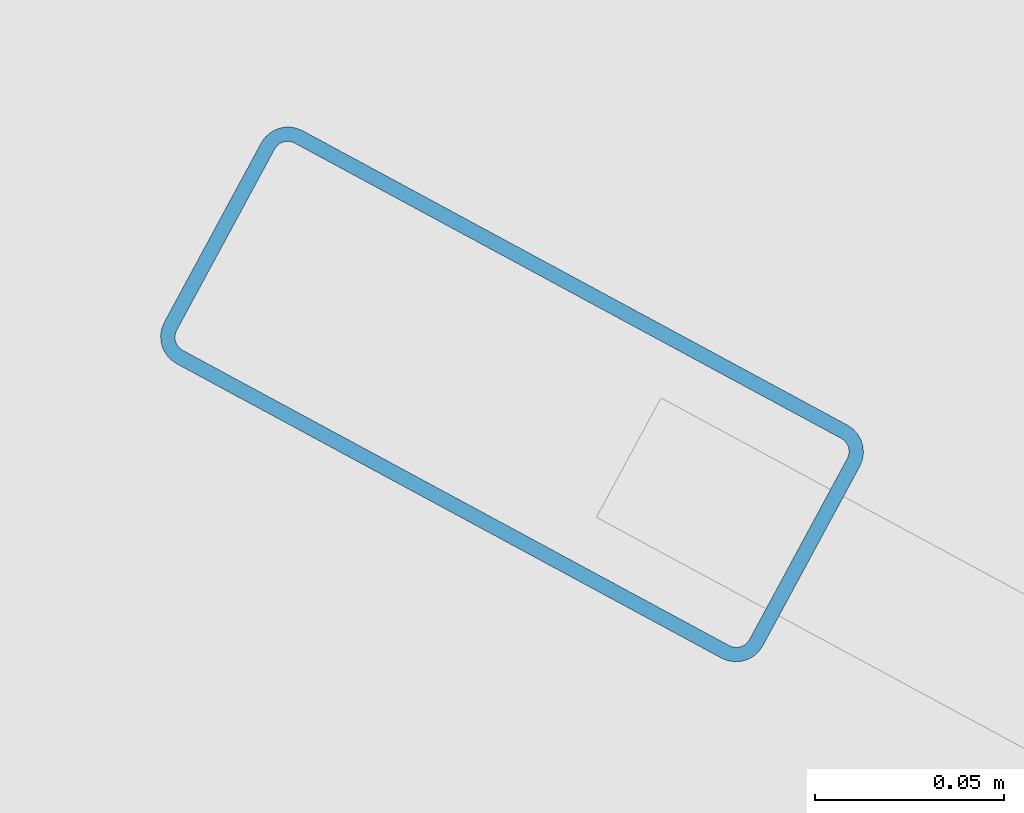
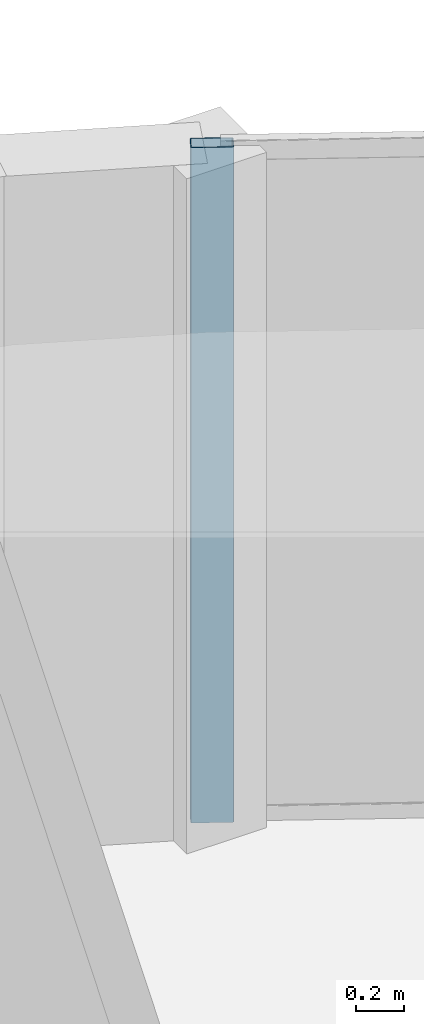
# One storey, part 7 of 13: 1 member, 1 element without a shape of its own.
"""IFC4 building model written with IfcOpenShell, lengths in metres."""

import ifcopenshell
import ifcopenshell.guid

model = None  # the IFC model being written
_history = None  # IfcOwnerHistory: only IFC2X3 demands one
_inside = {}  # id of a spatial element -> (the spatial element, [elements in it])
_under = {}  # id of a project, library or spatial element -> (it, [spatial elements below it])
_declared = {}  # id of a project -> (the project, [libraries it declares])
_typed = {}  # id of a type object -> (the type object, [elements of that type])
_made_of = {}  # id of a material, layer set ... -> (it, [elements and type objects made of it])


def new_model(schema):
    """Start an empty IFC model of exactly this schema.

    Asked for "IFC4X3", IfcOpenShell would pick the latest addendum, in which some entities
    have other attributes; the version numbers below select the first issue.
    IFC2X3 requires an IfcOwnerHistory on every rooted entity: one is made here for all.
    """
    global model, _history
    if schema == "IFC4X3":
        model = ifcopenshell.file(schema_version=(4, 3, 0, 0))
    else:
        model = ifcopenshell.file(schema=schema)
    _inside.clear()
    _under.clear()
    _declared.clear()
    _typed.clear()
    _made_of.clear()
    _history = None
    if model.schema == "IFC2X3":
        org = make("IfcOrganization", Name="unknown")
        user = make(
            "IfcPersonAndOrganization",
            ThePerson=make("IfcPerson", FamilyName="unknown"),
            TheOrganization=org,
        )
        app = make(
            "IfcApplication",
            ApplicationDeveloper=org,
            Version="unknown",
            ApplicationFullName="unknown",
            ApplicationIdentifier="unknown",
        )
        _history = make(
            "IfcOwnerHistory",
            OwningUser=user,
            OwningApplication=app,
            ChangeAction="ADDED",
            CreationDate=0,
        )
    return model


def make(cls, **values):
    """One entity of the class cls with the attributes given. An attribute that is None is left unset."""
    return model.create_entity(
        cls, **{name: value for name, value in values.items() if value is not None}
    )


def rooted(cls, **values):
    """An entity with a GlobalId (a new one), such as an element, a storey or a relation."""
    return make(cls, GlobalId=ifcopenshell.guid.new(), OwnerHistory=_history, **values)


def si_unit(unit_type, name, prefix=None):
    """IfcSIUnit, for example si_unit("LENGTHUNIT", "METRE", prefix="MILLI")."""
    return make("IfcSIUnit", UnitType=unit_type, Prefix=prefix, Name=name)


def assignment(units):
    """IfcUnitAssignment: the units of a project."""
    return None if units is None else make("IfcUnitAssignment", Units=units)


def point(xyz):
    """IfcCartesianPoint."""
    return None if xyz is None else make("IfcCartesianPoint", Coordinates=xyz)


def direction(xyz):
    """IfcDirection."""
    return None if xyz is None else make("IfcDirection", DirectionRatios=xyz)


def frame(location, z_axis=None, x_axis=None):
    """IfcAxis2Placement3D, a coordinate frame: its origin and axes. An axis left out is left unset."""
    return make(
        "IfcAxis2Placement3D",
        Location=point(location),
        Axis=direction(z_axis),
        RefDirection=direction(x_axis),
    )


def frame_2d(location, x_axis=None):
    """IfcAxis2Placement2D, a coordinate frame in the plane: its origin and x axis."""
    return make(
        "IfcAxis2Placement2D", Location=point(location), RefDirection=direction(x_axis)
    )


def origin():
    """The frame at (0, 0, 0) with its axes left unset."""
    return frame((0.0, 0.0, 0.0))


def origin_2d():
    """The frame at (0, 0) in the plane with its x axis left unset."""
    return frame_2d((0.0, 0.0))


def place(relative_to, where):
    """IfcLocalPlacement: puts the frame where relative to a parent placement (None: the world)."""
    return make(
        "IfcLocalPlacement", PlacementRelTo=relative_to, RelativePlacement=where
    )


def context(
    kind, dimensions, precision=None, world=None, true_north=None, identifier=None
):
    """IfcGeometricRepresentationContext, for example the 3D "Model" context."""
    return make(
        "IfcGeometricRepresentationContext",
        ContextIdentifier=identifier,
        ContextType=kind,
        CoordinateSpaceDimension=dimensions,
        Precision=precision,
        WorldCoordinateSystem=world,
        TrueNorth=true_north,
    )


def subcontext(parent, identifier, kind, view, scale=None):
    """IfcGeometricRepresentationSubContext, for example "Body" below "Model"."""
    return make(
        "IfcGeometricRepresentationSubContext",
        ContextIdentifier=identifier,
        ContextType=kind,
        ParentContext=parent,
        TargetScale=scale,
        TargetView=view,
    )


def project(units=None, contexts=None):
    """IfcProject with its units and contexts."""
    return rooted(
        "IfcProject",
        Name="project",
        RepresentationContexts=contexts,
        UnitsInContext=assignment(units),
    )


def spatial(cls, under=None, at=None, **own):
    """A site, building, storey or space (cls), placed at a placement, below another one or the project."""
    s = rooted(cls, ObjectPlacement=at, **own)
    if under is not None:
        _under.setdefault(under.id(), (under, []))[1].append(s)
    return s


def profile(cls, at=None, kind="AREA", **sizes):
    """A parametric profile (cls). Its sizes go by their IFC names, for example OverallWidth=200.0."""
    return make(cls, ProfileType=kind, Position=at, **sizes)


def hollow_rectangle(**sizes):
    """IfcRectangleHollowProfileDef."""
    return profile("IfcRectangleHollowProfileDef", **sizes)


def extrude(swept, where, along, depth):
    """IfcExtrudedAreaSolid: the profile swept, set in the frame where, extruded along a direction by depth."""
    return make(
        "IfcExtrudedAreaSolid",
        SweptArea=swept,
        Position=where,
        ExtrudedDirection=direction(along),
        Depth=depth,
    )


def shape(context_of_items, identifier, shape_type, items):
    """IfcShapeRepresentation: the items that make up one representation, for example the "Body"."""
    return make(
        "IfcShapeRepresentation",
        ContextOfItems=context_of_items,
        RepresentationIdentifier=identifier,
        RepresentationType=shape_type,
        Items=items,
    )


def material(Name=None, Category=None):
    """IfcMaterial."""
    return make("IfcMaterial", Name=Name, Category=Category)


def layer(
    of_material, thickness, ventilated=None, Name=None, Category=None, Priority=None
):
    """IfcMaterialLayer: one layer of a wall or slab, of a material (None: an air gap)."""
    return make(
        "IfcMaterialLayer",
        Material=of_material,
        LayerThickness=thickness,
        IsVentilated=ventilated,
        Name=Name,
        Category=Category,
        Priority=Priority,
    )


def layer_set(layers, Name=None):
    """IfcMaterialLayerSet."""
    return make("IfcMaterialLayerSet", MaterialLayers=layers, LayerSetName=Name)


def material_profile(
    of_material, cross_section, Name=None, Category=None, Priority=None
):
    """IfcMaterialProfile: a cross section and its material."""
    return make(
        "IfcMaterialProfile",
        Name=Name,
        Material=of_material,
        Profile=cross_section,
        Priority=Priority,
        Category=Category,
    )


def profile_set(profiles, Name=None, composite=None):
    """IfcMaterialProfileSet."""
    return make(
        "IfcMaterialProfileSet",
        Name=Name,
        MaterialProfiles=profiles,
        CompositeProfile=composite,
    )


def made_of(thing, what):
    """Note that an element or type object is made of a material, layer set ...; save() writes the relation."""
    if what is not None:
        _made_of.setdefault(what.id(), (what, []))[1].append(thing)
    return thing


def type_object(cls, material=None, **own):
    """A type object (cls), such as IfcWallType, which elements share."""
    return made_of(rooted(cls, **own), material)


def element(
    cls,
    number,
    at=None,
    inside=None,
    cuts=None,
    type_object=None,
    material=None,
    context=None,
    identifier="Body",
    shape_type=None,
    held_by="IfcProductDefinitionShape",
    body=None,
    shapes=None,
    **own,
):
    """One element of the class cls, such as IfcWall. Its Tag is "e" and its number.

    at: its placement. inside: the storey or other place that contains it. cuts: it is an
    opening in that element (IfcRelVoidsElement). A single representation is given by context,
    identifier, shape_type and body (its items); several are given by shapes. held_by: the class
    of the entity that holds the representations. save() writes the other relations.
    """
    e = rooted(cls, Tag="e%d" % number, ObjectPlacement=at, **own)
    if body is not None:
        shapes = [shape(context, identifier, shape_type, body)]
    if shapes is not None:
        e.Representation = make(held_by, Representations=shapes)
    if inside is not None:
        _inside.setdefault(inside.id(), (inside, []))[1].append(e)
    if cuts is not None:
        rooted(
            "IfcRelVoidsElement", RelatingBuildingElement=cuts, RelatedOpeningElement=e
        )
    if type_object is not None:
        _typed.setdefault(type_object.id(), (type_object, []))[1].append(e)
    return made_of(e, material)


def aggregate(whole, parts):
    """IfcRelAggregates: a whole, such as a stair, and the parts it consists of."""
    return rooted("IfcRelAggregates", RelatingObject=whole, RelatedObjects=parts)


def save(model, path):
    """Write the relations noted so far, then the file.

    IfcRelAggregates (storeys below a building ...), IfcRelContainedInSpatialStructure (elements
    in a storey), IfcRelDefinesByType, IfcRelAssociatesMaterial and IfcRelDeclares: one each for
    every whole, place, type object, material and project.
    """
    for whole, parts in _under.values():
        aggregate(whole, parts)
    for where, things in _inside.values():
        rooted(
            "IfcRelContainedInSpatialStructure",
            RelatedElements=things,
            RelatingStructure=where,
        )
    for kind, things in _typed.values():
        rooted("IfcRelDefinesByType", RelatedObjects=things, RelatingType=kind)
    for what, things in _made_of.values():
        rooted("IfcRelAssociatesMaterial", RelatedObjects=things, RelatingMaterial=what)
    for by, libraries in _declared.values():
        rooted("IfcRelDeclares", RelatingContext=by, RelatedDefinitions=libraries)
    model.write(path)


model = new_model("IFC4")

# Units and contexts
model_context = context("Model", 3, precision=1e-05, world=origin(), true_north=direction((0.0, 1.0)))
body_context = subcontext(model_context, "Body", "Model", "MODEL_VIEW")
ifc_project = project(units=[si_unit("LENGTHUNIT", "METRE"), si_unit("AREAUNIT", "SQUARE_METRE"), si_unit("VOLUMEUNIT", "CUBIC_METRE"), si_unit("PLANEANGLEUNIT", "RADIAN"), si_unit("MASSUNIT", "GRAM", prefix="KILO")], contexts=[model_context])

# Site, building, storey
site_placement = place(None, origin())
site = spatial("IfcSite", under=ifc_project, at=site_placement, CompositionType="ELEMENT")
building_placement = place(site_placement, origin())
building = spatial("IfcBuilding", under=site, at=building_placement, Name="An Khanh Terracotta Commons", CompositionType="ELEMENT")
storey_placement = place(building_placement, frame((0.0, 0.0, 233.699951171875)))
storey = spatial("IfcBuildingStorey", under=building, at=storey_placement, Name="L61", CompositionType="ELEMENT", Elevation=233.699951171875)

# Curtain wall, member
ifc_material = material(Name="Anodised Aluminium 6063-T6", Category="aluminium")
ifc_layer = layer(ifc_material, 0.2099609375, Name="Anodised Aluminium 6063-T6")
ifc_layer_set = layer_set([ifc_layer], Name="Anodised Aluminium 6063-T6")
curtain_wall_type = type_object("IfcCurtainWallType", Name="CW-SYS-03", PredefinedType="USERDEFINED", material=ifc_layer_set)
curtain_wall_placement = place(storey_placement, origin())
curtain_wall = element("IfcCurtainWall", 1, at=curtain_wall_placement, inside=storey, type_object=curtain_wall_type, Name="L61 CW-03 Unitised Curtain Wall CW-L61-16", ObjectType="UNITISED CURTAIN WALL", PredefinedType="USERDEFINED")
ifc_material_profile = material_profile(ifc_material, hollow_rectangle(XDim=0.070068359375, YDim=0.179931640625, WallThickness=0.00390625, InnerFilletRadius=0.00390625, OuterFilletRadius=0.008056640625, at=origin_2d()), Name="RHS180x70x4")
ifc_profile_set = profile_set([ifc_material_profile], Name="Anodised Aluminium 6063-T6")
member_type = type_object("IfcMemberType", Name="CWM-RHS180x70x4", PredefinedType="MULLION", material=ifc_profile_set)
member_placement = place(storey_placement, frame((57.3876953125, 39.058349609375, 0.0), z_axis=(0.0, 0.0, 1.0), x_axis=(-0.47538088298, -0.879780095306, 0.0)))
member = element("IfcMember", 2, at=member_placement, type_object=member_type, Name="CW-03 mullion 5", PredefinedType="MULLION", context=body_context, shape_type="SweptSolid", body=[
    extrude(hollow_rectangle(XDim=0.070068359375, YDim=0.179931640625, WallThickness=0.00390625, InnerFilletRadius=0.00390625, OuterFilletRadius=0.008056640625, at=origin_2d()), origin(), (0.0, 0.0, 1.0), 3.400146484375),
])
aggregate(curtain_wall, [member])

save(model, "model.ifc")
